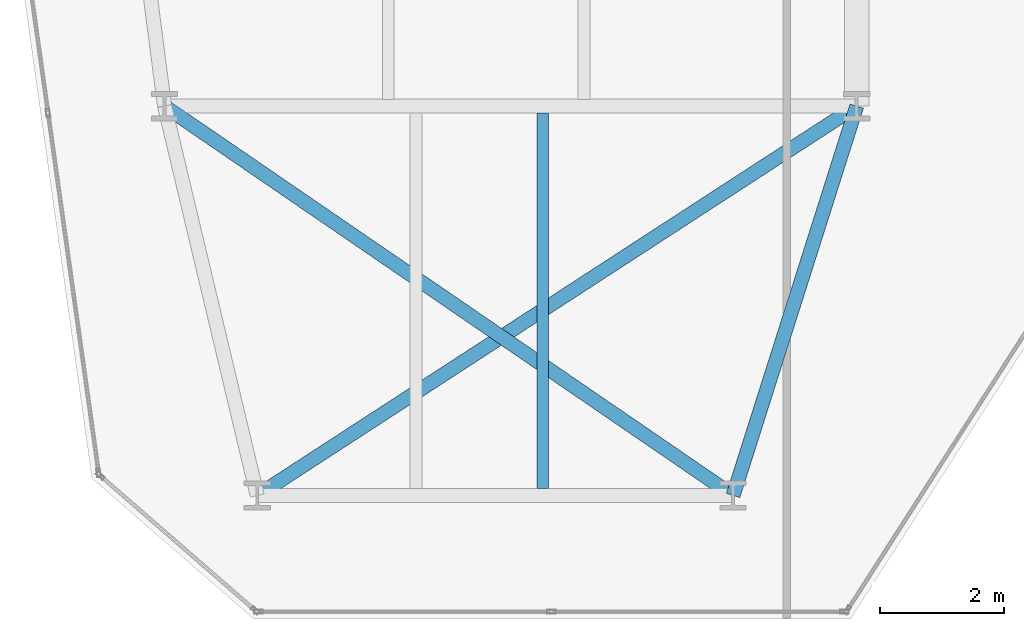
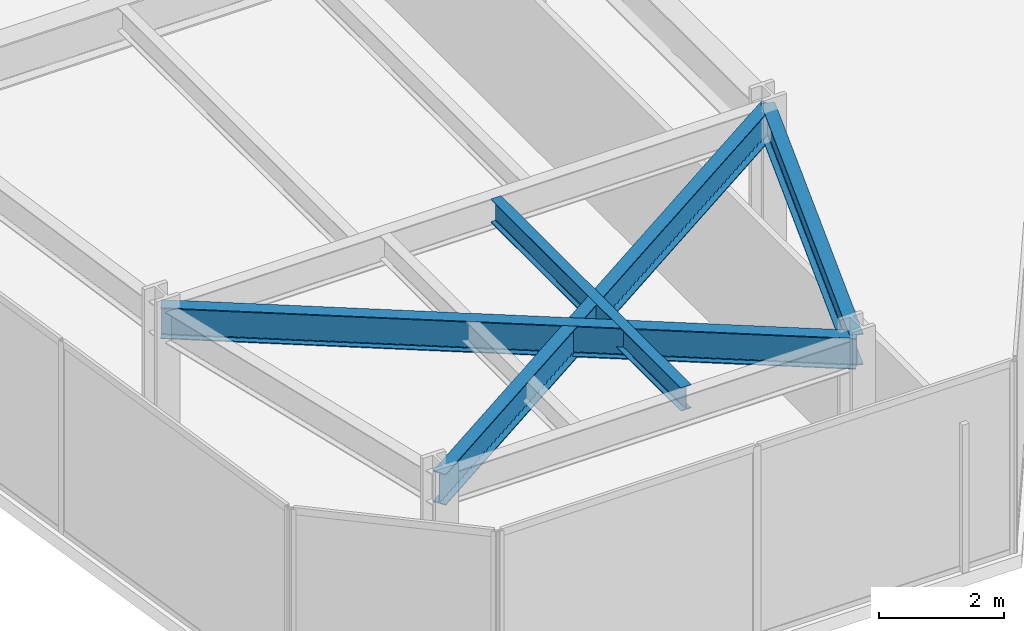
# One storey, part 4 of 26: 4 beams.
"""IFC4 building model written with IfcOpenShell, lengths in metres."""

from ifc_helpers import new_model, si_unit, direction, frame, origin, origin_2d, place, context, subcontext, project, spatial, i_section, extrude, material, material_profile, profile_set, type_object, element, save


model = new_model("IFC4")

# Units and contexts
model_context = context("Model", 3, precision=1e-05, world=origin(), true_north=direction((0.0, 1.0)))
body_context = subcontext(model_context, "Body", "Model", "MODEL_VIEW")
ifc_project = project(units=[si_unit("LENGTHUNIT", "METRE"), si_unit("AREAUNIT", "SQUARE_METRE"), si_unit("VOLUMEUNIT", "CUBIC_METRE"), si_unit("PLANEANGLEUNIT", "RADIAN"), si_unit("MASSUNIT", "GRAM", prefix="KILO")], contexts=[model_context])

# Site, building, storey
site_placement = place(None, origin())
site = spatial("IfcSite", under=ifc_project, at=site_placement, CompositionType="ELEMENT")
building_placement = place(site_placement, origin())
building = spatial("IfcBuilding", under=site, at=building_placement, Name="Kravanh Interchange Tower", CompositionType="ELEMENT")
storey_placement = place(building_placement, frame((0.0, 0.0, 120.0)))
storey = spatial("IfcBuildingStorey", under=building, at=storey_placement, Name="L28", CompositionType="ELEMENT", Elevation=120.0)

# Beams
ifc_material_1 = material(Name="Structural Steel S355", Category="steel")
ifc_material_profile_1 = material_profile(ifc_material_1, i_section(OverallWidth=0.18994140625, OverallDepth=0.45703125, WebThickness=0.009033203125, FlangeThickness=0.014404296875, FilletRadius=0.01806640625, at=origin_2d()), Name="W18X50")
ifc_profile_set_1 = profile_set([ifc_material_profile_1], Name="Structural Steel S355")
beam_type_1 = type_object("IfcBeamType", Name="Floor Joist W18X50 Structural Steel S355", PredefinedType="JOIST", material=ifc_profile_set_1)
beam_1_placement = place(storey_placement, frame((22.117919921875, 8.30908203125, 3.521484375), z_axis=(0.0, 1.0, 0.0), x_axis=(-1.0, 0.0, 0.0)))
element("IfcBeam", 1, at=beam_1_placement, inside=storey, type_object=beam_type_1, Name="L28 Secondary Floor Joist 2", PredefinedType="JOIST", context=body_context, shape_type="SweptSolid", body=[
    extrude(i_section(OverallWidth=0.18994140625, OverallDepth=0.45703125, WebThickness=0.009033203125, FlangeThickness=0.014404296875, FilletRadius=0.01806640625, at=origin_2d()), origin(), (0.0, 0.0, 1.0), 6.08203125),
])
ifc_material_2 = material(Name="Structural Steel S355", Category="steel")
ifc_material_profile_2 = material_profile(ifc_material_2, i_section(OverallWidth=0.22802734375, OverallDepth=0.60791015625, WebThickness=0.01123046875, FlangeThickness=0.017333984375, FilletRadius=0.02197265625, at=origin_2d()), Name="W24X76")
ifc_profile_set_2 = profile_set([ifc_material_profile_2], Name="Structural Steel S355")
beam_type_2 = type_object("IfcBeamType", Name="Floor Spandrel W24X76 Structural Steel S355", PredefinedType="SPANDREL", material=ifc_profile_set_2)
beam_2_placement = place(storey_placement, frame((17.5, 8.199951171875, 3.446044921875), z_axis=(0.838637911458, 0.544689318295, 0.0), x_axis=(-0.544689318295, 0.838637911458, 0.0)))
element("IfcBeam", 2, at=beam_2_placement, inside=storey, type_object=beam_type_2, Name="L28 Perimeter Spandrel 36", PredefinedType="SPANDREL", context=body_context, shape_type="SweptSolid", body=[
    extrude(i_section(OverallWidth=0.22802734375, OverallDepth=0.60791015625, WebThickness=0.01123046875, FlangeThickness=0.017333984375, FilletRadius=0.02197265625, at=origin_2d()), origin(), (0.0, 0.0, 1.0), 11.56640625),
])
beam_3_placement = place(storey_placement, frame((25.199951171875, 8.199951171875, 3.446044921875), z_axis=(0.30257700201, 0.953124943465, 0.0), x_axis=(-0.953124943465, 0.30257700201, 0.0)))
element("IfcBeam", 3, at=beam_3_placement, inside=storey, type_object=beam_type_2, Name="L28 Perimeter Spandrel 76", PredefinedType="SPANDREL", context=body_context, shape_type="SweptSolid", body=[
    extrude(i_section(OverallWidth=0.22802734375, OverallDepth=0.60791015625, WebThickness=0.01123046875, FlangeThickness=0.017333984375, FilletRadius=0.02197265625, at=origin_2d()), origin(), (0.0, 0.0, 1.0), 6.60986328125),
])
beam_4_placement = place(storey_placement, frame((25.199951171875, 8.199951171875, 3.446044921875), z_axis=(-0.825083781107, 0.565010401811, 0.0), x_axis=(-0.565010401811, -0.825083781107, 0.0)))
element("IfcBeam", 4, at=beam_4_placement, inside=storey, type_object=beam_type_2, Name="L28 Perimeter Spandrel 77", PredefinedType="SPANDREL", context=body_context, shape_type="SweptSolid", body=[
    extrude(i_section(OverallWidth=0.22802734375, OverallDepth=0.60791015625, WebThickness=0.01123046875, FlangeThickness=0.017333984375, FilletRadius=0.02197265625, at=origin_2d()), origin(), (0.0, 0.0, 1.0), 11.150390625),
])

save(model, "model.ifc")
